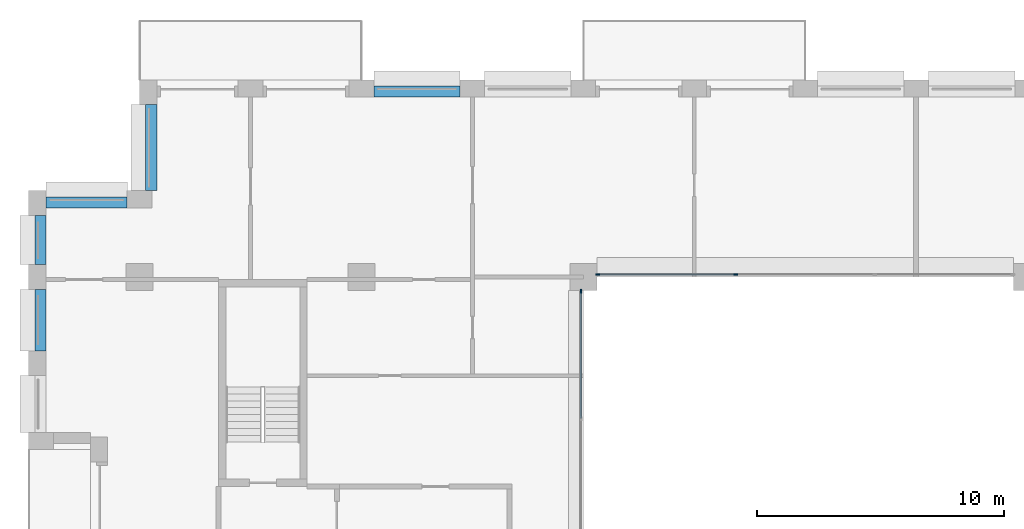
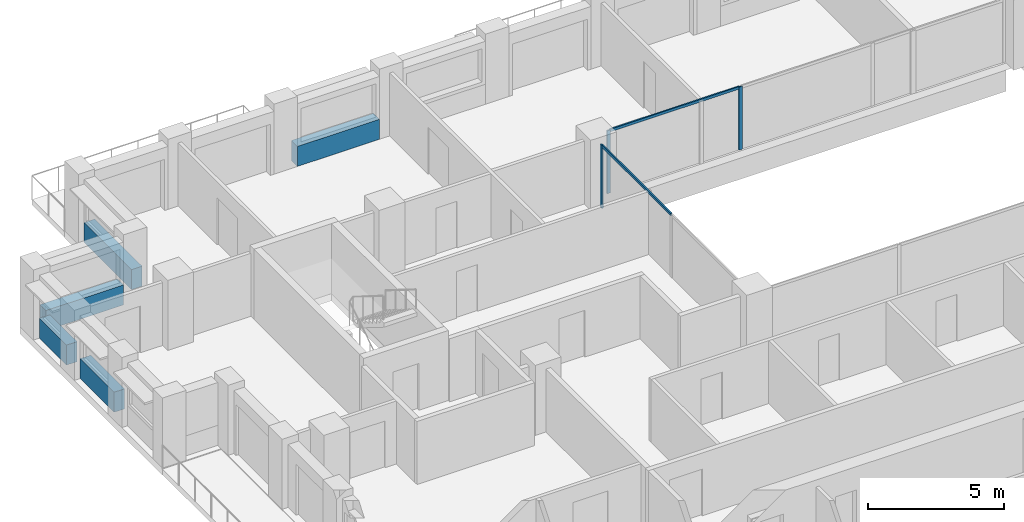
# One storey, part 5 of 15: 5 beams, 5 members, 2 elements without a shape of their own.
"""IFC4 building model written with IfcOpenShell, lengths in metres."""

from ifc_helpers import new_model, si_unit, direction, frame, origin, origin_2d, place, context, subcontext, project, spatial, rectangle, extrude, material, layer, layer_set, material_profile, profile_set, type_object, element, aggregate, save


model = new_model("IFC4")

# Units and contexts
model_context = context("Model", 3, precision=1e-05, world=origin(), true_north=direction((0.0, 1.0)))
body_context = subcontext(model_context, "Body", "Model", "MODEL_VIEW")
ifc_project = project(units=[si_unit("LENGTHUNIT", "METRE"), si_unit("AREAUNIT", "SQUARE_METRE"), si_unit("VOLUMEUNIT", "CUBIC_METRE"), si_unit("PLANEANGLEUNIT", "RADIAN"), si_unit("MASSUNIT", "GRAM", prefix="KILO")], contexts=[model_context])

# Site, building, storey
site_placement = place(None, origin())
site = spatial("IfcSite", under=ifc_project, at=site_placement, CompositionType="ELEMENT")
building_placement = place(site_placement, origin())
building = spatial("IfcBuilding", under=site, at=building_placement, Name="Brigalow Station Residences", CompositionType="ELEMENT")
storey_placement = place(building_placement, frame((0.0, 0.0, 153.89990234375)))
storey = spatial("IfcBuildingStorey", under=building, at=storey_placement, Name="L44", CompositionType="ELEMENT", Elevation=153.89990234375)

# Curtain wall, members
ifc_material_1 = material(Name="Aluminium", Category="aluminium")
ifc_layer = layer(ifc_material_1, 0.14990234375)
ifc_layer_set = layer_set([ifc_layer], Name="ATRIUM FIRE-RATED GLAZING CURTAIN WALL")
curtain_wall_type = type_object("IfcCurtainWallType", Name="ATRIUM FIRE-RATED GLAZING CURTAIN WALL", PredefinedType="NOTDEFINED", material=ifc_layer_set)
curtain_wall_1_placement = place(storey_placement, origin())
curtain_wall_1 = element("IfcCurtainWall", 1, at=curtain_wall_1_placement, inside=storey, type_object=curtain_wall_type, Name="L44/cw/atrium-N", PredefinedType="NOTDEFINED")
ifc_material_2 = material(Name="Aluminium", Category="aluminium")
ifc_material_profile_1 = material_profile(ifc_material_2, rectangle(XDim=0.06005859375, YDim=0.14990234375, at=origin_2d()), Name="ATRIUM FIRE-RATED GLAZING MULLION 60x150")
ifc_profile_set_1 = profile_set([ifc_material_profile_1], Name="Aluminium")
member_type_1 = type_object("IfcMemberType", Name="ATRIUM FIRE-RATED GLAZING MULLION 60x150", PredefinedType="MULLION", material=ifc_profile_set_1)
member_1_placement = place(storey_placement, frame((33.183349609375, 35.60009765625, 0.0), z_axis=(0.0, 0.0, 1.0), x_axis=(0.0, -1.0, 0.0)))
member_1 = element("IfcMember", 2, at=member_1_placement, type_object=member_type_1, Name="L44/cw/atrium-N/M02", PredefinedType="MULLION", context=body_context, shape_type="SweptSolid", body=[
    extrude(rectangle(XDim=0.06005859375, YDim=0.14990234375, at=origin_2d()), origin(), (0.0, 0.0, 1.0), 2.830078125),
])
member_2_placement = place(storey_placement, frame((27.580078125, 35.60009765625, 0.0), z_axis=(0.0, 0.0, 1.0), x_axis=(0.0, -1.0, 0.0)))
member_2 = element("IfcMember", 3, at=member_2_placement, type_object=member_type_1, Name="L44/cw/atrium-N/M03", PredefinedType="MULLION", context=body_context, shape_type="SweptSolid", body=[
    extrude(rectangle(XDim=0.06005859375, YDim=0.14990234375, at=origin_2d()), origin(), (0.0, 0.0, 1.0), 2.830078125),
])

# Curtain wall, member
curtain_wall_2_placement = place(storey_placement, origin())
curtain_wall_2 = element("IfcCurtainWall", 4, at=curtain_wall_2_placement, inside=storey, type_object=curtain_wall_type, Name="L44/cw/atrium-W", PredefinedType="NOTDEFINED")
member_3_placement = place(storey_placement, frame((26.89990234375, 34.919921875, 0.0), z_axis=(0.0, 0.0, 1.0), x_axis=(1.0, 0.0, 0.0)))
member_3 = element("IfcMember", 5, at=member_3_placement, type_object=member_type_1, Name="L44/cw/atrium-W/M00", PredefinedType="MULLION", context=body_context, shape_type="SweptSolid", body=[
    extrude(rectangle(XDim=0.06005859375, YDim=0.14990234375, at=origin_2d()), origin(), (0.0, 0.0, 1.0), 2.830078125),
])

# Member
ifc_material_3 = material(Name="Aluminium", Category="aluminium")
ifc_material_profile_2 = material_profile(ifc_material_3, rectangle(XDim=0.06005859375, YDim=0.1201171875, at=origin_2d()), Name="ATRIUM FIRE-RATED GLAZING TRANSOM 60x120")
ifc_profile_set_2 = profile_set([ifc_material_profile_2], Name="Aluminium")
member_type_2 = type_object("IfcMemberType", Name="ATRIUM FIRE-RATED GLAZING TRANSOM 60x120", PredefinedType="USERDEFINED", material=ifc_profile_set_2)
member_4_placement = place(storey_placement, frame((33.1533203125, 35.60009765625, 2.800048828125), z_axis=(-1.0, 0.0, 0.0), x_axis=(0.0, -1.0, 0.0)))
member_4 = element("IfcMember", 6, at=member_4_placement, type_object=member_type_2, Name="L44/cw/atrium-N/T02-00", ObjectType="TRANSOM", PredefinedType="USERDEFINED", context=body_context, shape_type="SweptSolid", body=[
    extrude(rectangle(XDim=0.06005859375, YDim=0.1201171875, at=origin_2d()), origin(), (0.0, 0.0, 1.0), 5.543212890625),
])

aggregate(curtain_wall_1, [member_1, member_2, member_4])

member_5_placement = place(storey_placement, frame((26.89990234375, 34.889892578125, 2.800048828125), z_axis=(0.0, -1.0, 0.0), x_axis=(1.0, 0.0, 0.0)))
member_5 = element("IfcMember", 7, at=member_5_placement, type_object=member_type_2, Name="L44/cw/atrium-W/T00-00", ObjectType="TRANSOM", PredefinedType="USERDEFINED", context=body_context, shape_type="SweptSolid", body=[
    extrude(rectangle(XDim=0.06005859375, YDim=0.1201171875, at=origin_2d()), origin(), (0.0, 0.0, 1.0), 5.10986328125),
])

aggregate(curtain_wall_2, [member_3, member_5])

# Beams
ifc_material_4 = material(Name="Concrete C50", Category="concrete")
ifc_material_profile_3 = material_profile(ifc_material_4, rectangle(XDim=0.449951171875, YDim=0.89990234375, at=origin_2d()), Name="RC450x900")
ifc_profile_set_3 = profile_set([ifc_material_profile_3], Name="Concrete C50")
beam_type = type_object("IfcBeamType", Name="SPANDREL BEAM 450x900 C50", PredefinedType="SPANDREL", material=ifc_profile_set_3)
for number, where, z_axis, x_axis, name in (
    (8, (22.0, 43.02490234375, 0.4501953125), (-1.0, 0.0, 0.0), (0.0, -1.0, 0.0), "L44/spandrel/W-L44-32"),
    (9, (9.47509765625, 42.5, 0.4501953125), (0.0, -1.0, 0.0), (1.0, 0.0, 0.0), "L44/spandrel/W-L44-35"),
):
    element("IfcBeam", number, at=place(storey_placement, frame(where, z_axis=z_axis, x_axis=x_axis)), inside=storey, type_object=beam_type, Name=name, PredefinedType="SPANDREL", context=body_context, shape_type="SweptSolid", body=[
        extrude(rectangle(XDim=0.449951171875, YDim=0.89990234375, at=origin_2d()), origin(), (0.0, 0.0, 1.0), 3.5),
    ])
beam_1_placement = place(storey_placement, frame((8.5, 38.52490234375, 0.4501953125), z_axis=(-1.0, 0.0, 0.0), x_axis=(0.0, -1.0, 0.0)))
element("IfcBeam", 10, at=beam_1_placement, inside=storey, type_object=beam_type, Name="L44/spandrel/W-L44-36", PredefinedType="SPANDREL", context=body_context, shape_type="SweptSolid", body=[
    extrude(rectangle(XDim=0.449951171875, YDim=0.89990234375, at=origin_2d()), origin(), (0.0, 0.0, 1.0), 3.300048828125),
])
beam_2_placement = place(storey_placement, frame((4.97509765625, 38.0, 0.4501953125), z_axis=(0.0, -1.0, 0.0), x_axis=(1.0, 0.0, 0.0)))
element("IfcBeam", 11, at=beam_2_placement, inside=storey, type_object=beam_type, Name="L44/spandrel/W-L44-37", PredefinedType="SPANDREL", context=body_context, shape_type="SweptSolid", body=[
    extrude(rectangle(XDim=0.449951171875, YDim=0.89990234375, at=origin_2d()), origin(), (0.0, 0.0, 1.0), 2.0),
])
beam_3_placement = place(storey_placement, frame((4.97509765625, 35.0, 0.4501953125), z_axis=(0.0, -1.0, 0.0), x_axis=(1.0, 0.0, 0.0)))
element("IfcBeam", 12, at=beam_3_placement, inside=storey, type_object=beam_type, Name="L44/spandrel/W-L44-38", PredefinedType="SPANDREL", context=body_context, shape_type="SweptSolid", body=[
    extrude(rectangle(XDim=0.449951171875, YDim=0.89990234375, at=origin_2d()), origin(), (0.0, 0.0, 1.0), 2.5),
])

save(model, "model.ifc")
